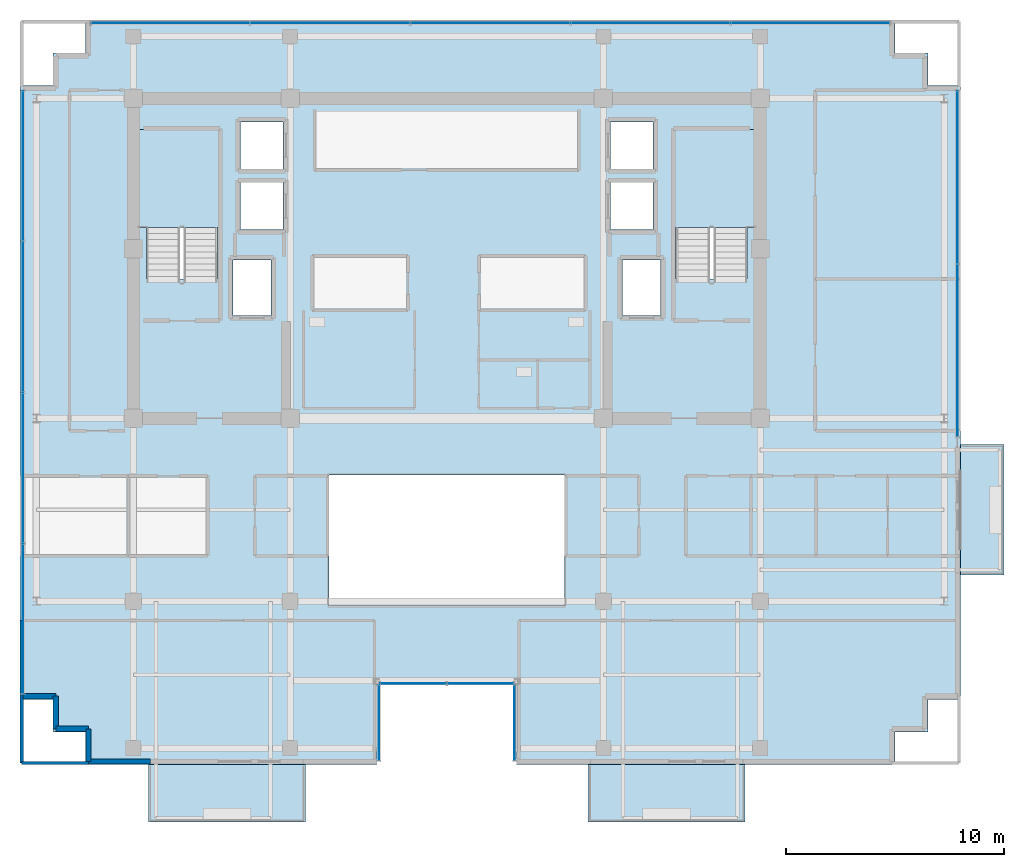
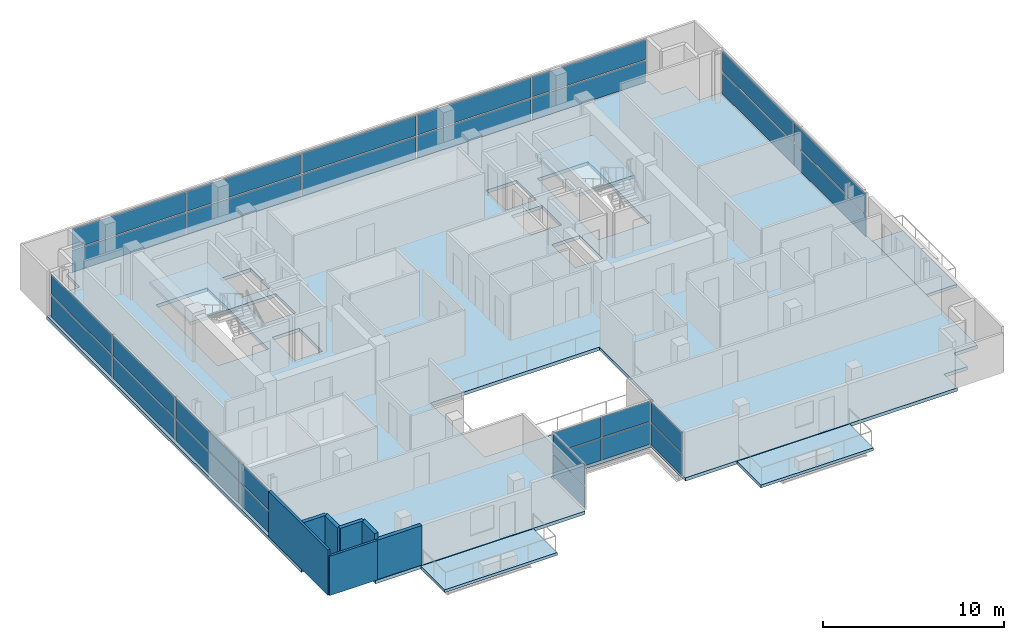
# One storey, part 14 of 22: 30 plates, 7 walls, 6 slabs, 8 elements without a shape of their own.
"""IFC4 building model written with IfcOpenShell, lengths in metres."""

from ifc_helpers import new_model, si_unit, direction, frame, frame_2d, origin, origin_2d, place, context, subcontext, project, spatial, polyline, rectangle, outline, extrude, source, transform, mapped, material, layer, layer_set, type_object, element, aggregate, save


model = new_model("IFC4")

# Units and contexts
model_context = context("Model", 3, precision=1e-05, world=origin(), true_north=direction((0.0, 1.0)))
body_context = subcontext(model_context, "Body", "Model", "MODEL_VIEW")
ifc_project = project(units=[si_unit("LENGTHUNIT", "METRE"), si_unit("AREAUNIT", "SQUARE_METRE"), si_unit("VOLUMEUNIT", "CUBIC_METRE"), si_unit("PLANEANGLEUNIT", "RADIAN"), si_unit("MASSUNIT", "GRAM", prefix="KILO")], contexts=[model_context])

# Site, building, storey
site_placement = place(None, origin())
site = spatial("IfcSite", under=ifc_project, at=site_placement, CompositionType="ELEMENT")
building_placement = place(site_placement, origin())
building = spatial("IfcBuilding", under=site, at=building_placement, Name="Zarnakvel Exchange Tower", CompositionType="ELEMENT")
storey_placement = place(building_placement, frame((0.0, 0.0, 251.800048828125)))
storey = spatial("IfcBuildingStorey", under=building, at=storey_placement, Name="L71", CompositionType="ELEMENT", Elevation=251.800048828125)

# Stair, slab
ifc_material_1 = material(Name="Concrete C40/50", Category="concrete")
stair_type = type_object("IfcStairType", Name="STR-01", PredefinedType="HALF_TURN_STAIR", material=ifc_material_1)
stair_1_placement = place(storey_placement, origin())
stair_1 = element("IfcStair", 1, at=stair_1_placement, inside=storey, type_object=stair_type, Name="L71 Protected Core Exit Stair ST-01", PredefinedType="HALF_TURN_STAIR")
ifc_layer_1 = layer(ifc_material_1, 0.199951171875)
ifc_layer_set_1 = layer_set([ifc_layer_1], Name="Concrete C40/50")
slab_type_1 = type_object("IfcSlabType", Name="LDG-01", PredefinedType="LANDING", material=ifc_layer_set_1)
slab_1_placement = place(storey_placement, frame((0.0, 0.0, 1.449951171875)))
slab_1 = element("IfcSlab", 2, at=slab_1_placement, type_object=slab_type_1, Name="ST-01 landing 1", PredefinedType="LANDING", context=body_context, shape_type="SweptSolid", body=[
    extrude(outline(polyline([(-14.18994140625, 7.570068359375), (-10.4599609375, 7.570068359375), (-10.4599609375, 12.080078125), (-14.18994140625, 12.080078125), (-14.18994140625, 7.570068359375)])), origin(), (0.0, 0.0, 1.0), 0.199951171875),
])
aggregate(stair_1, [slab_1])

stair_2_placement = place(storey_placement, origin())
stair_2 = element("IfcStair", 3, at=stair_2_placement, inside=storey, type_object=stair_type, Name="L71 Protected Core Exit Stair ST-02", PredefinedType="HALF_TURN_STAIR")
slab_2_placement = place(storey_placement, frame((0.0, 0.0, 1.449951171875)))
slab_2 = element("IfcSlab", 4, at=slab_2_placement, type_object=slab_type_1, Name="ST-02 landing 1", PredefinedType="LANDING", context=body_context, shape_type="SweptSolid", body=[
    extrude(outline(polyline([(10.4599609375, 7.570068359375), (14.18994140625, 7.570068359375), (14.18994140625, 12.080078125), (10.4599609375, 12.080078125), (10.4599609375, 7.570068359375)])), origin(), (0.0, 0.0, 1.0), 0.199951171875),
])
aggregate(stair_2, [slab_2])

# Slabs
ifc_layer_2 = layer(ifc_material_1, 0.22509765625)
ifc_layer_set_2 = layer_set([ifc_layer_2], Name="Concrete C40/50")
slab_type_2 = type_object("IfcSlabType", Name="SL-04", PredefinedType="FLOOR", material=ifc_layer_set_2)
slab_3_placement = place(storey_placement, frame((0.0, 0.0, -0.22509765625)))
element("IfcSlab", 5, at=slab_3_placement, inside=storey, type_object=slab_type_2, Name="L71 Primary Structural Floor Slab", PredefinedType="FLOOR", context=body_context, shape_type="SweptSolid", body=[
    extrude(outline(polyline([(-19.60009765625, -14.10009765625), (-18.10009765625, -14.10009765625), (-18.10009765625, -15.60009765625), (-16.60009765625, -15.60009765625), (-16.60009765625, -17.10009765625), (-3.199951171875, -17.10009765625), (-3.199951171875, -13.300048828125), (3.199951171875, -13.300048828125), (3.199951171875, -17.10009765625), (20.60009765625, -17.10009765625), (20.60009765625, -15.60009765625), (22.10009765625, -15.60009765625), (22.10009765625, -14.10009765625), (23.60009765625, -14.10009765625), (23.60009765625, 14.10009765625), (22.10009765625, 14.10009765625), (22.10009765625, 15.60009765625), (20.60009765625, 15.60009765625), (20.60009765625, 17.10009765625), (-16.60009765625, 17.10009765625), (-16.60009765625, 15.60009765625), (-18.10009765625, 15.60009765625), (-18.10009765625, 14.10009765625), (-19.60009765625, 14.10009765625), (-19.60009765625, -14.10009765625)]), holes=[polyline([(-5.39990234375, -9.800048828125), (5.39990234375, -9.800048828125), (5.39990234375, -3.800048828125), (-5.39990234375, -3.800048828125), (-5.39990234375, -9.800048828125)]), polyline([(-13.800048828125, 5.2099609375), (-10.5400390625, 5.2099609375), (-10.5400390625, 12.0), (-13.800048828125, 12.0), (-13.800048828125, 5.2099609375)]), polyline([(10.5400390625, 5.2099609375), (13.800048828125, 5.2099609375), (13.800048828125, 12.0), (10.5400390625, 12.0), (10.5400390625, 5.2099609375)]), polyline([(-9.830078125, 3.52001953125), (-8.070068359375, 3.52001953125), (-8.070068359375, 6.080078125), (-9.830078125, 6.080078125), (-9.830078125, 3.52001953125)]), polyline([(8.070068359375, 3.52001953125), (9.830078125, 3.52001953125), (9.830078125, 6.080078125), (8.070068359375, 6.080078125), (8.070068359375, 3.52001953125)]), polyline([(-9.47998046875, 7.469970703125), (-7.52001953125, 7.469970703125), (-7.52001953125, 9.6298828125), (-9.47998046875, 9.6298828125), (-9.47998046875, 7.469970703125)]), polyline([(-9.47998046875, 10.27001953125), (-7.52001953125, 10.27001953125), (-7.52001953125, 12.429931640625), (-9.47998046875, 12.429931640625), (-9.47998046875, 10.27001953125)]), polyline([(7.52001953125, 7.469970703125), (9.47998046875, 7.469970703125), (9.47998046875, 9.6298828125), (7.52001953125, 9.6298828125), (7.52001953125, 7.469970703125)]), polyline([(7.52001953125, 10.27001953125), (9.47998046875, 10.27001953125), (9.47998046875, 12.429931640625), (7.52001953125, 12.429931640625), (7.52001953125, 10.27001953125)])]), origin(), (0.0, 0.0, 1.0), 0.22509765625),
])
ifc_layer_3 = layer(ifc_material_1, 0.18994140625)
ifc_layer_set_3 = layer_set([ifc_layer_3], Name="Concrete C40/50")
slab_type_3 = type_object("IfcSlabType", Name="SL-08", PredefinedType="USERDEFINED", material=ifc_layer_set_3)
slab_4_placement = place(storey_placement, frame((0.0, 0.0, -0.22509765625)))
element("IfcSlab", 6, at=slab_4_placement, inside=storey, type_object=slab_type_3, Name="L71 Planted Loggia Balcony Slab BAL-L71-SW", ObjectType="BALCONY", PredefinedType="USERDEFINED", context=body_context, shape_type="SweptSolid", body=[
    extrude(outline(polyline([(-13.699951171875, -19.75), (-6.5, -19.75), (-6.5, -17.10009765625), (-13.699951171875, -17.10009765625), (-13.699951171875, -19.75)])), origin(), (0.0, 0.0, 1.0), 0.18994140625),
])
slab_5_placement = place(storey_placement, frame((0.0, 0.0, -0.22509765625)))
element("IfcSlab", 7, at=slab_5_placement, inside=storey, type_object=slab_type_3, Name="L71 Planted Loggia Balcony Slab BAL-L71-SE", ObjectType="BALCONY", PredefinedType="USERDEFINED", context=body_context, shape_type="SweptSolid", body=[
    extrude(outline(polyline([(6.5, -19.75), (13.699951171875, -19.75), (13.699951171875, -17.10009765625), (6.5, -17.10009765625), (6.5, -19.75)])), origin(), (0.0, 0.0, 1.0), 0.18994140625),
])
slab_6_placement = place(storey_placement, frame((0.0, 0.0, -0.22509765625)))
element("IfcSlab", 8, at=slab_6_placement, inside=storey, type_object=slab_type_3, Name="L71 Planted Loggia Balcony Slab BAL-L71-E", ObjectType="BALCONY", PredefinedType="USERDEFINED", context=body_context, shape_type="SweptSolid", body=[
    extrude(outline(polyline([(23.60009765625, -8.39990234375), (25.60009765625, -8.39990234375), (25.60009765625, -2.39990234375), (23.60009765625, -2.39990234375), (23.60009765625, -8.39990234375)])), origin(), (0.0, 0.0, 1.0), 0.18994140625),
])

# Curtain wall, plate
ifc_material_2 = material(Name="Architectural Bronze Anodised Aluminium", Category="aluminium")
ifc_layer_4 = layer(ifc_material_2, 0.179931640625)
ifc_layer_set_4 = layer_set([ifc_layer_4], Name="Architectural Bronze Anodised Aluminium")
curtain_wall_type_1 = type_object("IfcCurtainWallType", Name="CW-05", PredefinedType="NOTDEFINED", material=ifc_layer_set_4)
curtain_wall_1_placement = place(storey_placement, origin())
curtain_wall_1 = element("IfcCurtainWall", 9, at=curtain_wall_1_placement, inside=storey, type_object=curtain_wall_type_1, Name="L71 Curtain Wall CW-L71-SLW (CW-05)", PredefinedType="NOTDEFINED")
ifc_material_3 = material(Name="Double Low-E Laminated Vision Glass", Category="glass")
ifc_layer_5 = layer(ifc_material_3, 0.02587890625)
ifc_layer_set_5 = layer_set([ifc_layer_5], Name="Double Low-E Laminated Vision Glass")
plate_type_1 = type_object("IfcPlateType", Name="CWP-05", PredefinedType="CURTAIN_PANEL", material=ifc_layer_set_5)
shared_shape_1 = source(origin(), body_context, "Body", "SweptSolid", [
    extrude(rectangle(XDim=3.4599609375, YDim=0.02587890625, at=origin_2d()), origin(), (0.0, 0.0, 1.0), 1.483642578125),
])
plate_1_placement = place(storey_placement, frame((-3.1201171875, -15.179931640625, 0.06982421875), z_axis=(0.0, 0.0, 1.0), x_axis=(0.0, 1.0, 0.0)))
plate_1 = element("IfcPlate", 10, at=plate_1_placement, type_object=plate_type_1, Name="CW-05 panel 1.1", PredefinedType="CURTAIN_PANEL", context=body_context, shape_type="MappedRepresentation", body=[
    mapped(shared_shape_1, transform((0.0, 0.0, 0.0), x_axis=(1.0, 0.0, 0.0), y_axis=(0.0, 1.0, 0.0), z_axis=(0.0, 0.0, 1.0), scale=1.0)),
])

curtain_wall_2_placement = place(storey_placement, origin())
curtain_wall_2 = element("IfcCurtainWall", 11, at=curtain_wall_2_placement, inside=storey, type_object=curtain_wall_type_1, Name="L71 Curtain Wall CW-L71-SLE (CW-05)", PredefinedType="NOTDEFINED")
plate_2_placement = place(storey_placement, frame((3.1201171875, -15.179931640625, 0.06982421875), z_axis=(0.0, 0.0, 1.0), x_axis=(0.0, -1.0, 0.0)))
plate_2 = element("IfcPlate", 12, at=plate_2_placement, type_object=plate_type_1, Name="CW-05 panel 1.1", PredefinedType="CURTAIN_PANEL", context=body_context, shape_type="MappedRepresentation", body=[
    mapped(shared_shape_1, transform((0.0, 0.0, 0.0), x_axis=(1.0, 0.0, 0.0), y_axis=(0.0, 1.0, 0.0), z_axis=(0.0, 0.0, 1.0), scale=1.0)),
])

# Plate
shared_shape_2 = source(origin(), body_context, "Body", "SweptSolid", [
    extrude(rectangle(XDim=3.4599609375, YDim=0.02587890625, at=origin_2d()), origin(), (0.0, 0.0, 1.0), 1.361328125),
])
plate_3_placement = place(storey_placement, frame((-3.1201171875, -15.179931640625, 1.62353515625), z_axis=(0.0, 0.0, 1.0), x_axis=(0.0, 1.0, 0.0)))
plate_3 = element("IfcPlate", 13, at=plate_3_placement, type_object=plate_type_1, Name="CW-05 panel 1.2", PredefinedType="CURTAIN_PANEL", context=body_context, shape_type="MappedRepresentation", body=[
    mapped(shared_shape_2, transform((0.0, 0.0, 0.0), x_axis=(1.0, 0.0, 0.0), y_axis=(0.0, 1.0, 0.0), z_axis=(0.0, 0.0, 1.0), scale=1.0)),
])

aggregate(curtain_wall_1, [plate_1, plate_3])

plate_4_placement = place(storey_placement, frame((3.1201171875, -15.179931640625, 1.62353515625), z_axis=(0.0, 0.0, 1.0), x_axis=(0.0, -1.0, 0.0)))
plate_4 = element("IfcPlate", 14, at=plate_4_placement, type_object=plate_type_1, Name="CW-05 panel 1.2", PredefinedType="CURTAIN_PANEL", context=body_context, shape_type="MappedRepresentation", body=[
    mapped(shared_shape_2, transform((0.0, 0.0, 0.0), x_axis=(1.0, 0.0, 0.0), y_axis=(0.0, 1.0, 0.0), z_axis=(0.0, 0.0, 1.0), scale=1.0)),
])

aggregate(curtain_wall_2, [plate_2, plate_4])

# Curtain wall, plates
curtain_wall_3_placement = place(storey_placement, origin())
curtain_wall_3 = element("IfcCurtainWall", 15, at=curtain_wall_3_placement, inside=storey, type_object=curtain_wall_type_1, Name="L71 Curtain Wall CW-L71-SLB (CW-05)", PredefinedType="NOTDEFINED")
shared_shape_3 = source(origin(), body_context, "Body", "SweptSolid", [
    extrude(rectangle(XDim=3.014892578125, YDim=0.02587890625, at=origin_2d()), origin(), (0.0, 0.0, 1.0), 1.483642578125),
])
plate_5_placement = place(storey_placement, frame((-1.54248046875, -13.3798828125, 0.06982421875), z_axis=(0.0, 0.0, 1.0), x_axis=(1.0, 0.0, 0.0)))
plate_5 = element("IfcPlate", 16, at=plate_5_placement, type_object=plate_type_1, Name="CW-05 panel 1.1", PredefinedType="CURTAIN_PANEL", context=body_context, shape_type="MappedRepresentation", body=[
    mapped(shared_shape_3, transform((0.0, 0.0, 0.0), x_axis=(1.0, 0.0, 0.0), y_axis=(0.0, 1.0, 0.0), z_axis=(0.0, 0.0, 1.0), scale=1.0)),
])
plate_6_placement = place(storey_placement, frame((1.54248046875, -13.3798828125, 0.06982421875), z_axis=(0.0, 0.0, 1.0), x_axis=(1.0, 0.0, 0.0)))
plate_6 = element("IfcPlate", 17, at=plate_6_placement, type_object=plate_type_1, Name="CW-05 panel 2.1", PredefinedType="CURTAIN_PANEL", context=body_context, shape_type="MappedRepresentation", body=[
    mapped(shared_shape_3, transform((0.0, 0.0, 0.0), x_axis=(1.0, 0.0, 0.0), y_axis=(0.0, 1.0, 0.0), z_axis=(0.0, 0.0, 1.0), scale=1.0)),
])
shared_shape_4 = source(origin(), body_context, "Body", "SweptSolid", [
    extrude(rectangle(XDim=3.014892578125, YDim=0.02587890625, at=origin_2d()), origin(), (0.0, 0.0, 1.0), 1.361328125),
])
plate_7_placement = place(storey_placement, frame((-1.54248046875, -13.3798828125, 1.62353515625), z_axis=(0.0, 0.0, 1.0), x_axis=(1.0, 0.0, 0.0)))
plate_7 = element("IfcPlate", 18, at=plate_7_placement, type_object=plate_type_1, Name="CW-05 panel 1.2", PredefinedType="CURTAIN_PANEL", context=body_context, shape_type="MappedRepresentation", body=[
    mapped(shared_shape_4, transform((0.0, 0.0, 0.0), x_axis=(1.0, 0.0, 0.0), y_axis=(0.0, 1.0, 0.0), z_axis=(0.0, 0.0, 1.0), scale=1.0)),
])
plate_8_placement = place(storey_placement, frame((1.54248046875, -13.3798828125, 1.62353515625), z_axis=(0.0, 0.0, 1.0), x_axis=(1.0, 0.0, 0.0)))
plate_8 = element("IfcPlate", 19, at=plate_8_placement, type_object=plate_type_1, Name="CW-05 panel 2.2", PredefinedType="CURTAIN_PANEL", context=body_context, shape_type="MappedRepresentation", body=[
    mapped(shared_shape_4, transform((0.0, 0.0, 0.0), x_axis=(1.0, 0.0, 0.0), y_axis=(0.0, 1.0, 0.0), z_axis=(0.0, 0.0, 1.0), scale=1.0)),
])
aggregate(curtain_wall_3, [plate_5, plate_7, plate_6, plate_8])

ifc_layer_6 = layer(ifc_material_2, 0.199951171875)
ifc_layer_set_6 = layer_set([ifc_layer_6], Name="Architectural Bronze Anodised Aluminium")
curtain_wall_type_2 = type_object("IfcCurtainWallType", Name="CW-04", PredefinedType="NOTDEFINED", material=ifc_layer_set_6)
curtain_wall_4_placement = place(storey_placement, origin())
curtain_wall_4 = element("IfcCurtainWall", 20, at=curtain_wall_4_placement, inside=storey, type_object=curtain_wall_type_2, Name="L71 Curtain Wall CW-L71-W1 (CW-04)", PredefinedType="NOTDEFINED")
ifc_layer_7 = layer(ifc_material_3, 0.028076171875)
ifc_layer_set_7 = layer_set([ifc_layer_7], Name="Double Low-E Laminated Vision Glass")
plate_type_2 = type_object("IfcPlateType", Name="CWP-04", PredefinedType="CURTAIN_PANEL", material=ifc_layer_set_7)
shared_shape_5 = source(origin(), body_context, "Body", "SweptSolid", [
    extrude(rectangle(XDim=6.83740234375, YDim=0.028076171875, at=origin_2d()), origin(), (0.0, 0.0, 1.0), 1.47607421875),
])
plate_9_placement = place(storey_placement, frame((-19.4599609375, -10.40625, 0.074951171875), z_axis=(0.0, 0.0, 1.0), x_axis=(0.0, 1.0, 0.0)))
plate_9 = element("IfcPlate", 21, at=plate_9_placement, type_object=plate_type_2, Name="CW-04 panel 1.1", PredefinedType="CURTAIN_PANEL", context=body_context, shape_type="MappedRepresentation", body=[
    mapped(shared_shape_5, transform((0.0, 0.0, 0.0), x_axis=(1.0, 0.0, 0.0), y_axis=(0.0, 1.0, 0.0), z_axis=(0.0, 0.0, 1.0), scale=1.0)),
])
plate_10_placement = place(storey_placement, frame((-19.4599609375, 10.40625, 0.074951171875), z_axis=(0.0, 0.0, 1.0), x_axis=(0.0, 1.0, 0.0)))
plate_10 = element("IfcPlate", 22, at=plate_10_placement, type_object=plate_type_2, Name="CW-04 panel 4.1", PredefinedType="CURTAIN_PANEL", context=body_context, shape_type="MappedRepresentation", body=[
    mapped(shared_shape_5, transform((0.0, 0.0, 0.0), x_axis=(1.0, 0.0, 0.0), y_axis=(0.0, 1.0, 0.0), z_axis=(0.0, 0.0, 1.0), scale=1.0)),
])
shared_shape_6 = source(origin(), body_context, "Body", "SweptSolid", [
    extrude(rectangle(XDim=6.83740234375, YDim=0.028076171875, at=origin_2d()), origin(), (0.0, 0.0, 1.0), 1.35400390625),
])
plate_11_placement = place(storey_placement, frame((-19.4599609375, -10.40625, 1.6259765625), z_axis=(0.0, 0.0, 1.0), x_axis=(0.0, 1.0, 0.0)))
plate_11 = element("IfcPlate", 23, at=plate_11_placement, type_object=plate_type_2, Name="CW-04 panel 1.2", PredefinedType="CURTAIN_PANEL", context=body_context, shape_type="MappedRepresentation", body=[
    mapped(shared_shape_6, transform((0.0, 0.0, 0.0), x_axis=(1.0, 0.0, 0.0), y_axis=(0.0, 1.0, 0.0), z_axis=(0.0, 0.0, 1.0), scale=1.0)),
])
plate_12_placement = place(storey_placement, frame((-19.4599609375, 10.40625, 1.6259765625), z_axis=(0.0, 0.0, 1.0), x_axis=(0.0, 1.0, 0.0)))
plate_12 = element("IfcPlate", 24, at=plate_12_placement, type_object=plate_type_2, Name="CW-04 panel 4.2", PredefinedType="CURTAIN_PANEL", context=body_context, shape_type="MappedRepresentation", body=[
    mapped(shared_shape_6, transform((0.0, 0.0, 0.0), x_axis=(1.0, 0.0, 0.0), y_axis=(0.0, 1.0, 0.0), z_axis=(0.0, 0.0, 1.0), scale=1.0)),
])
shared_shape_7 = source(origin(), body_context, "Body", "SweptSolid", [
    extrude(rectangle(XDim=6.875, YDim=0.028076171875, at=origin_2d()), origin(), (0.0, 0.0, 1.0), 1.47607421875),
])
plate_13_placement = place(storey_placement, frame((-19.4599609375, -3.47509765625, 0.074951171875), z_axis=(0.0, 0.0, 1.0), x_axis=(0.0, 1.0, 0.0)))
plate_13 = element("IfcPlate", 25, at=plate_13_placement, type_object=plate_type_2, Name="CW-04 panel 2.1", PredefinedType="CURTAIN_PANEL", context=body_context, shape_type="MappedRepresentation", body=[
    mapped(shared_shape_7, transform((0.0, 0.0, 0.0), x_axis=(1.0, 0.0, 0.0), y_axis=(0.0, 1.0, 0.0), z_axis=(0.0, 0.0, 1.0), scale=1.0)),
])
plate_14_placement = place(storey_placement, frame((-19.4599609375, 3.47509765625, 0.074951171875), z_axis=(0.0, 0.0, 1.0), x_axis=(0.0, 1.0, 0.0)))
plate_14 = element("IfcPlate", 26, at=plate_14_placement, type_object=plate_type_2, Name="CW-04 panel 3.1", PredefinedType="CURTAIN_PANEL", context=body_context, shape_type="MappedRepresentation", body=[
    mapped(shared_shape_7, transform((0.0, 0.0, 0.0), x_axis=(1.0, 0.0, 0.0), y_axis=(0.0, 1.0, 0.0), z_axis=(0.0, 0.0, 1.0), scale=1.0)),
])
shared_shape_8 = source(origin(), body_context, "Body", "SweptSolid", [
    extrude(rectangle(XDim=6.875, YDim=0.028076171875, at=origin_2d()), origin(), (0.0, 0.0, 1.0), 1.35400390625),
])
plate_15_placement = place(storey_placement, frame((-19.4599609375, -3.47509765625, 1.6259765625), z_axis=(0.0, 0.0, 1.0), x_axis=(0.0, 1.0, 0.0)))
plate_15 = element("IfcPlate", 27, at=plate_15_placement, type_object=plate_type_2, Name="CW-04 panel 2.2", PredefinedType="CURTAIN_PANEL", context=body_context, shape_type="MappedRepresentation", body=[
    mapped(shared_shape_8, transform((0.0, 0.0, 0.0), x_axis=(1.0, 0.0, 0.0), y_axis=(0.0, 1.0, 0.0), z_axis=(0.0, 0.0, 1.0), scale=1.0)),
])
plate_16_placement = place(storey_placement, frame((-19.4599609375, 3.47509765625, 1.6259765625), z_axis=(0.0, 0.0, 1.0), x_axis=(0.0, 1.0, 0.0)))
plate_16 = element("IfcPlate", 28, at=plate_16_placement, type_object=plate_type_2, Name="CW-04 panel 3.2", PredefinedType="CURTAIN_PANEL", context=body_context, shape_type="MappedRepresentation", body=[
    mapped(shared_shape_8, transform((0.0, 0.0, 0.0), x_axis=(1.0, 0.0, 0.0), y_axis=(0.0, 1.0, 0.0), z_axis=(0.0, 0.0, 1.0), scale=1.0)),
])
aggregate(curtain_wall_4, [plate_9, plate_11, plate_13, plate_15, plate_14, plate_16, plate_10, plate_12])

curtain_wall_5_placement = place(storey_placement, origin())
curtain_wall_5 = element("IfcCurtainWall", 29, at=curtain_wall_5_placement, inside=storey, type_object=curtain_wall_type_2, Name="L71 Curtain Wall CW-L71-EN (CW-04)", PredefinedType="NOTDEFINED")
shared_shape_9 = source(origin(), body_context, "Body", "SweptSolid", [
    extrude(rectangle(XDim=7.887451171875, YDim=0.028076171875, at=origin_2d()), origin(), (0.0, 0.0, 1.0), 1.47607421875),
])
plate_17_placement = place(storey_placement, frame((23.4599609375, 1.918701171875, 0.074951171875), z_axis=(0.0, 0.0, 1.0), x_axis=(0.0, 1.0, 0.0)))
plate_17 = element("IfcPlate", 30, at=plate_17_placement, type_object=plate_type_2, Name="CW-04 panel 1.1", PredefinedType="CURTAIN_PANEL", context=body_context, shape_type="MappedRepresentation", body=[
    mapped(shared_shape_9, transform((0.0, 0.0, 0.0), x_axis=(1.0, 0.0, 0.0), y_axis=(0.0, 1.0, 0.0), z_axis=(0.0, 0.0, 1.0), scale=1.0)),
])
plate_18_placement = place(storey_placement, frame((23.4599609375, 9.88134765625, 0.074951171875), z_axis=(0.0, 0.0, 1.0), x_axis=(0.0, 1.0, 0.0)))
plate_18 = element("IfcPlate", 31, at=plate_18_placement, type_object=plate_type_2, Name="CW-04 panel 2.1", PredefinedType="CURTAIN_PANEL", context=body_context, shape_type="MappedRepresentation", body=[
    mapped(shared_shape_9, transform((0.0, 0.0, 0.0), x_axis=(1.0, 0.0, 0.0), y_axis=(0.0, 1.0, 0.0), z_axis=(0.0, 0.0, 1.0), scale=1.0)),
])
shared_shape_10 = source(origin(), body_context, "Body", "SweptSolid", [
    extrude(rectangle(XDim=7.887451171875, YDim=0.028076171875, at=origin_2d()), origin(), (0.0, 0.0, 1.0), 1.35400390625),
])
plate_19_placement = place(storey_placement, frame((23.4599609375, 1.918701171875, 1.6259765625), z_axis=(0.0, 0.0, 1.0), x_axis=(0.0, 1.0, 0.0)))
plate_19 = element("IfcPlate", 32, at=plate_19_placement, type_object=plate_type_2, Name="CW-04 panel 1.2", PredefinedType="CURTAIN_PANEL", context=body_context, shape_type="MappedRepresentation", body=[
    mapped(shared_shape_10, transform((0.0, 0.0, 0.0), x_axis=(1.0, 0.0, 0.0), y_axis=(0.0, 1.0, 0.0), z_axis=(0.0, 0.0, 1.0), scale=1.0)),
])
plate_20_placement = place(storey_placement, frame((23.4599609375, 9.88134765625, 1.6259765625), z_axis=(0.0, 0.0, 1.0), x_axis=(0.0, 1.0, 0.0)))
plate_20 = element("IfcPlate", 33, at=plate_20_placement, type_object=plate_type_2, Name="CW-04 panel 2.2", PredefinedType="CURTAIN_PANEL", context=body_context, shape_type="MappedRepresentation", body=[
    mapped(shared_shape_10, transform((0.0, 0.0, 0.0), x_axis=(1.0, 0.0, 0.0), y_axis=(0.0, 1.0, 0.0), z_axis=(0.0, 0.0, 1.0), scale=1.0)),
])
aggregate(curtain_wall_5, [plate_17, plate_19, plate_18, plate_20])

ifc_layer_8 = layer(ifc_material_2, 0.219970703125)
ifc_layer_set_8 = layer_set([ifc_layer_8], Name="Architectural Bronze Anodised Aluminium")
curtain_wall_type_3 = type_object("IfcCurtainWallType", Name="CW-03", PredefinedType="NOTDEFINED", material=ifc_layer_set_8)
curtain_wall_6_placement = place(storey_placement, origin())
curtain_wall_6 = element("IfcCurtainWall", 34, at=curtain_wall_6_placement, inside=storey, type_object=curtain_wall_type_3, Name="L71 Curtain Wall CW-L71-N1 (CW-03)", PredefinedType="NOTDEFINED")
ifc_layer_9 = layer(ifc_material_3, 0.030029296875)
ifc_layer_set_9 = layer_set([ifc_layer_9], Name="Double Low-E Laminated Vision Glass")
plate_type_3 = type_object("IfcPlateType", Name="CWP-03", PredefinedType="CURTAIN_PANEL", material=ifc_layer_set_9)
shared_shape_11 = source(origin(), body_context, "Body", "SweptSolid", [
    extrude(rectangle(XDim=7.239990234375, YDim=0.030029296875, at=origin_2d()), origin(), (0.0, 0.0, 1.0), 1.468505859375),
])
plate_21_placement = place(storey_placement, frame((-12.699951171875, 16.9599609375, 0.080078125), z_axis=(0.0, 0.0, 1.0), x_axis=(1.0, 0.0, 0.0)))
plate_21 = element("IfcPlate", 35, at=plate_21_placement, type_object=plate_type_3, Name="CW-03 panel 1.1", PredefinedType="CURTAIN_PANEL", context=body_context, shape_type="MappedRepresentation", body=[
    mapped(shared_shape_11, transform((0.0, 0.0, 0.0), x_axis=(1.0, 0.0, 0.0), y_axis=(0.0, 1.0, 0.0), z_axis=(0.0, 0.0, 1.0), scale=1.0)),
])
plate_22_placement = place(storey_placement, frame((16.699951171875, 16.9599609375, 0.080078125), z_axis=(0.0, 0.0, 1.0), x_axis=(1.0, 0.0, 0.0)))
plate_22 = element("IfcPlate", 36, at=plate_22_placement, type_object=plate_type_3, Name="CW-03 panel 5.1", PredefinedType="CURTAIN_PANEL", context=body_context, shape_type="MappedRepresentation", body=[
    mapped(shared_shape_11, transform((0.0, 0.0, 0.0), x_axis=(1.0, 0.0, 0.0), y_axis=(0.0, 1.0, 0.0), z_axis=(0.0, 0.0, 1.0), scale=1.0)),
])
shared_shape_12 = source(origin(), body_context, "Body", "SweptSolid", [
    extrude(rectangle(XDim=7.239990234375, YDim=0.030029296875, at=origin_2d()), origin(), (0.0, 0.0, 1.0), 1.346435546875),
])
plate_23_placement = place(storey_placement, frame((-12.699951171875, 16.9599609375, 1.62841796875), z_axis=(0.0, 0.0, 1.0), x_axis=(1.0, 0.0, 0.0)))
plate_23 = element("IfcPlate", 37, at=plate_23_placement, type_object=plate_type_3, Name="CW-03 panel 1.2", PredefinedType="CURTAIN_PANEL", context=body_context, shape_type="MappedRepresentation", body=[
    mapped(shared_shape_12, transform((0.0, 0.0, 0.0), x_axis=(1.0, 0.0, 0.0), y_axis=(0.0, 1.0, 0.0), z_axis=(0.0, 0.0, 1.0), scale=1.0)),
])
plate_24_placement = place(storey_placement, frame((16.699951171875, 16.9599609375, 1.62841796875), z_axis=(0.0, 0.0, 1.0), x_axis=(1.0, 0.0, 0.0)))
plate_24 = element("IfcPlate", 38, at=plate_24_placement, type_object=plate_type_3, Name="CW-03 panel 5.2", PredefinedType="CURTAIN_PANEL", context=body_context, shape_type="MappedRepresentation", body=[
    mapped(shared_shape_12, transform((0.0, 0.0, 0.0), x_axis=(1.0, 0.0, 0.0), y_axis=(0.0, 1.0, 0.0), z_axis=(0.0, 0.0, 1.0), scale=1.0)),
])
shared_shape_13 = source(origin(), body_context, "Body", "SweptSolid", [
    extrude(rectangle(XDim=7.280029296875, YDim=0.030029296875, at=origin_2d()), origin(), (0.0, 0.0, 1.0), 1.468505859375),
])
plate_25_placement = place(storey_placement, frame((-5.360107421875, 16.9599609375, 0.080078125), z_axis=(0.0, 0.0, 1.0), x_axis=(1.0, 0.0, 0.0)))
plate_25 = element("IfcPlate", 39, at=plate_25_placement, type_object=plate_type_3, Name="CW-03 panel 2.1", PredefinedType="CURTAIN_PANEL", context=body_context, shape_type="MappedRepresentation", body=[
    mapped(shared_shape_13, transform((0.0, 0.0, 0.0), x_axis=(1.0, 0.0, 0.0), y_axis=(0.0, 1.0, 0.0), z_axis=(0.0, 0.0, 1.0), scale=1.0)),
])
plate_26_placement = place(storey_placement, frame((2.0, 16.9599609375, 0.080078125), z_axis=(0.0, 0.0, 1.0), x_axis=(1.0, 0.0, 0.0)))
plate_26 = element("IfcPlate", 40, at=plate_26_placement, type_object=plate_type_3, Name="CW-03 panel 3.1", PredefinedType="CURTAIN_PANEL", context=body_context, shape_type="MappedRepresentation", body=[
    mapped(shared_shape_13, transform((0.0, 0.0, 0.0), x_axis=(1.0, 0.0, 0.0), y_axis=(0.0, 1.0, 0.0), z_axis=(0.0, 0.0, 1.0), scale=1.0)),
])
plate_27_placement = place(storey_placement, frame((9.360107421875, 16.9599609375, 0.080078125), z_axis=(0.0, 0.0, 1.0), x_axis=(1.0, 0.0, 0.0)))
plate_27 = element("IfcPlate", 41, at=plate_27_placement, type_object=plate_type_3, Name="CW-03 panel 4.1", PredefinedType="CURTAIN_PANEL", context=body_context, shape_type="MappedRepresentation", body=[
    mapped(shared_shape_13, transform((0.0, 0.0, 0.0), x_axis=(1.0, 0.0, 0.0), y_axis=(0.0, 1.0, 0.0), z_axis=(0.0, 0.0, 1.0), scale=1.0)),
])
shared_shape_14 = source(origin(), body_context, "Body", "SweptSolid", [
    extrude(rectangle(XDim=7.280029296875, YDim=0.030029296875, at=origin_2d()), origin(), (0.0, 0.0, 1.0), 1.346435546875),
])
plate_28_placement = place(storey_placement, frame((-5.360107421875, 16.9599609375, 1.62841796875), z_axis=(0.0, 0.0, 1.0), x_axis=(1.0, 0.0, 0.0)))
plate_28 = element("IfcPlate", 42, at=plate_28_placement, type_object=plate_type_3, Name="CW-03 panel 2.2", PredefinedType="CURTAIN_PANEL", context=body_context, shape_type="MappedRepresentation", body=[
    mapped(shared_shape_14, transform((0.0, 0.0, 0.0), x_axis=(1.0, 0.0, 0.0), y_axis=(0.0, 1.0, 0.0), z_axis=(0.0, 0.0, 1.0), scale=1.0)),
])
plate_29_placement = place(storey_placement, frame((2.0, 16.9599609375, 1.62841796875), z_axis=(0.0, 0.0, 1.0), x_axis=(1.0, 0.0, 0.0)))
plate_29 = element("IfcPlate", 43, at=plate_29_placement, type_object=plate_type_3, Name="CW-03 panel 3.2", PredefinedType="CURTAIN_PANEL", context=body_context, shape_type="MappedRepresentation", body=[
    mapped(shared_shape_14, transform((0.0, 0.0, 0.0), x_axis=(1.0, 0.0, 0.0), y_axis=(0.0, 1.0, 0.0), z_axis=(0.0, 0.0, 1.0), scale=1.0)),
])
plate_30_placement = place(storey_placement, frame((9.360107421875, 16.9599609375, 1.62841796875), z_axis=(0.0, 0.0, 1.0), x_axis=(1.0, 0.0, 0.0)))
plate_30 = element("IfcPlate", 44, at=plate_30_placement, type_object=plate_type_3, Name="CW-03 panel 4.2", PredefinedType="CURTAIN_PANEL", context=body_context, shape_type="MappedRepresentation", body=[
    mapped(shared_shape_14, transform((0.0, 0.0, 0.0), x_axis=(1.0, 0.0, 0.0), y_axis=(0.0, 1.0, 0.0), z_axis=(0.0, 0.0, 1.0), scale=1.0)),
])
aggregate(curtain_wall_6, [plate_21, plate_23, plate_25, plate_28, plate_26, plate_29, plate_27, plate_30, plate_22, plate_24])

# Walls
ifc_material_4 = material(Name="Precast concrete C40/50", Category="concrete")
ifc_layer_10 = layer(ifc_material_4, 0.239990234375)
ifc_layer_set_10 = layer_set([ifc_layer_10], Name="Precast concrete C40/50")
wall_type_1 = type_object("IfcWallType", Name="EW-02", PredefinedType="SOLIDWALL", material=ifc_layer_set_10)
wall_1_placement = place(storey_placement, frame((-16.4599609375, -16.9599609375, 0.0), z_axis=(0.0, 0.0, 1.0), x_axis=(1.0, 0.0, 0.0)))
element("IfcWall", 45, at=wall_1_placement, inside=storey, type_object=wall_type_1, Name="L71 Exterior Precast Spandrel Wall EWC-L71-22 (EW-02)", PredefinedType="SOLIDWALL", context=body_context, shape_type="SweptSolid", body=[
    extrude(rectangle(XDim=2.85986328125, YDim=0.239990234375, at=frame_2d((1.429931640625, 0.0))), origin(), (0.0, 0.0, 1.0), 2.6650390625),
])
for number, where, z_axis, x_axis, name in (
    (46, (-16.4599609375, -15.4599609375, 0.0), (0.0, 0.0, 1.0), (0.0, -1.0, 0.0), "L71 Exterior Precast Spandrel Wall EWC-L71-23 (EW-02)"),
    (47, (-17.9599609375, -15.4599609375, 0.0), (0.0, 0.0, 1.0), (1.0, 0.0, 0.0), "L71 Exterior Precast Spandrel Wall EWC-L71-24 (EW-02)"),
    (48, (-17.9599609375, -13.9599609375, 0.0), (0.0, 0.0, 1.0), (0.0, -1.0, 0.0), "L71 Exterior Precast Spandrel Wall EWC-L71-25 (EW-02)"),
    (49, (-19.4599609375, -13.9599609375, 0.0), (0.0, 0.0, 1.0), (1.0, 0.0, 0.0), "L71 Exterior Precast Spandrel Wall EWC-L71-26 (EW-02)"),
):
    element("IfcWall", number, at=place(storey_placement, frame(where, z_axis=z_axis, x_axis=x_axis)), inside=storey, type_object=wall_type_1, Name=name, PredefinedType="SOLIDWALL", context=body_context, shape_type="SweptSolid", body=[
        extrude(rectangle(XDim=1.5, YDim=0.239990234375, at=frame_2d((0.75, 0.0))), origin(), (0.0, 0.0, 1.0), 3.074951171875),
    ])
ifc_material_5 = material(Name="Fire-Rated Gypsum Stud Partition", Category="gypsum")
ifc_layer_11 = layer(ifc_material_5, 0.14990234375)
ifc_layer_set_11 = layer_set([ifc_layer_11], Name="Fire-Rated Gypsum Stud Partition")
wall_type_2 = type_object("IfcWallType", Name="PT-01", PredefinedType="PARTITIONING", material=ifc_layer_set_11)
wall_2_placement = place(storey_placement, frame((-16.4599609375, -17.030029296875, 0.0), z_axis=(0.0, 0.0, 1.0), x_axis=(-1.0, 0.0, 0.0)))
element("IfcWall", 50, at=wall_2_placement, inside=storey, type_object=wall_type_2, Name="L71 Partition Wall PWALL-L71-040 (PT-01)", PredefinedType="PARTITIONING", context=body_context, shape_type="SweptSolid", body=[
    extrude(rectangle(XDim=3.070068359375, YDim=0.14990234375, at=frame_2d((1.53515625, 0.0))), origin(), (0.0, 0.0, 1.0), 2.6650390625),
])
wall_3_placement = place(storey_placement, frame((-19.530029296875, -17.030029296875, 0.0), z_axis=(0.0, 0.0, 1.0), x_axis=(0.0, 1.0, 0.0)))
element("IfcWall", 51, at=wall_3_placement, inside=storey, type_object=wall_type_2, Name="L71 Partition Wall PWALL-L71-042 (PT-01)", PredefinedType="PARTITIONING", context=body_context, shape_type="SweptSolid", body=[
    extrude(rectangle(XDim=6.550048828125, YDim=0.14990234375, at=frame_2d((3.27490234375, 0.0))), origin(), (0.0, 0.0, 1.0), 3.074951171875),
])

save(model, "model.ifc")
